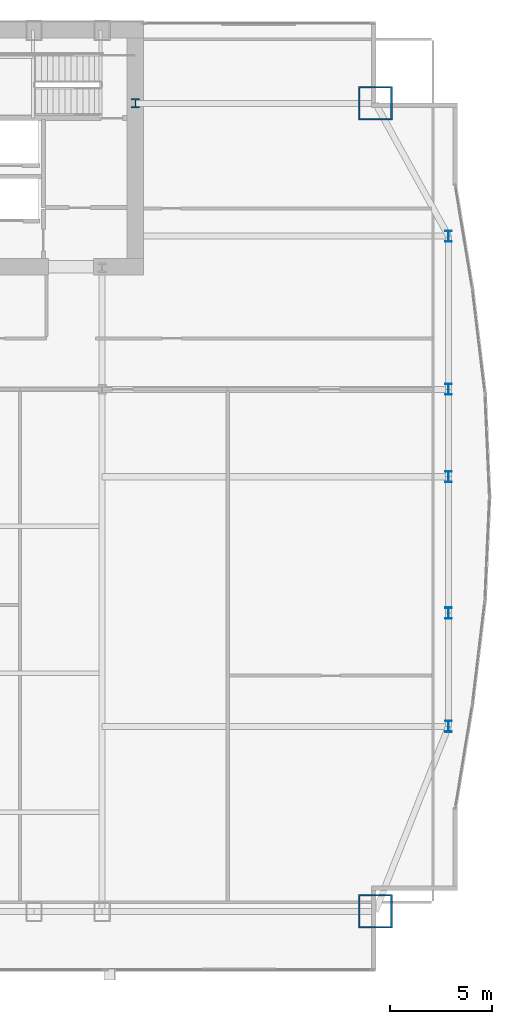
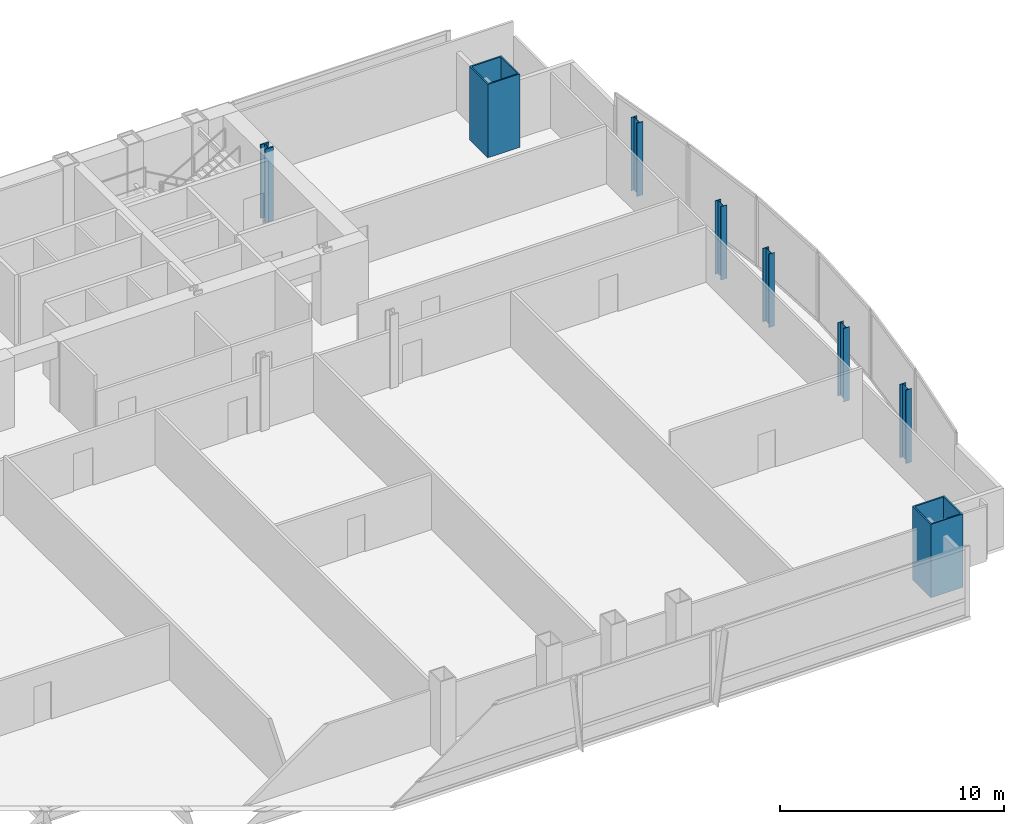
# One storey, part 4 of 32: 8 columns.
"""IFC4 building model written with IfcOpenShell, lengths in metres."""

from ifc_helpers import new_model, si_unit, direction, frame, origin, origin_2d, place, context, subcontext, project, spatial, hollow_rectangle, i_section, extrude, material, material_profile, profile_set, type_object, element, save


model = new_model("IFC4")

# Units and contexts
model_context = context("Model", 3, precision=1e-05, world=origin(), true_north=direction((0.0, 1.0)))
body_context = subcontext(model_context, "Body", "Model", "MODEL_VIEW")
ifc_project = project(units=[si_unit("LENGTHUNIT", "METRE"), si_unit("AREAUNIT", "SQUARE_METRE"), si_unit("VOLUMEUNIT", "CUBIC_METRE"), si_unit("PLANEANGLEUNIT", "RADIAN"), si_unit("MASSUNIT", "GRAM", prefix="KILO")], contexts=[model_context])

# Site, building, storey
site_placement = place(None, origin())
site = spatial("IfcSite", under=ifc_project, at=site_placement, CompositionType="ELEMENT")
building_placement = place(site_placement, origin())
building = spatial("IfcBuilding", under=site, at=building_placement, Name="Khoronbel Lancet Exchange", CompositionType="ELEMENT")
storey_placement = place(building_placement, frame((0.0, 0.0, 65.800048828125)))
storey = spatial("IfcBuildingStorey", under=building, at=storey_placement, Name="L15", CompositionType="ELEMENT", Elevation=65.800048828125)

# Columns
ifc_material_1 = material(Name="Steel S460", Category="steel")
ifc_material_profile_1 = material_profile(ifc_material_1, i_section(OverallWidth=0.424072265625, OverallDepth=0.47412109375, WebThickness=0.047607421875, FlangeThickness=0.076904296875, at=origin_2d()), Name="HD 400x634")
ifc_profile_set_1 = profile_set([ifc_material_profile_1], Name="Steel S460")
column_type_1 = type_object("IfcColumnType", Name="COL-IC1", PredefinedType="COLUMN", material=ifc_profile_set_1)
column_placement = place(storey_placement, frame((56.300048828125, 49.699951171875, 0.0), z_axis=(0.0, 0.0, 1.0), x_axis=(1.0, 0.0, 0.0)))
element("IfcColumn", 1, at=column_placement, inside=storey, type_object=column_type_1, Name="Core-flank plumb transfer column CFE L15", PredefinedType="COLUMN", context=body_context, shape_type="SweptSolid", body=[
    extrude(i_section(OverallWidth=0.424072265625, OverallDepth=0.47412109375, WebThickness=0.047607421875, FlangeThickness=0.076904296875, at=origin_2d()), origin(), (0.0, 0.0, 1.0), 4.0),
])
ifc_material_2 = material(Name="Steel S355", Category="steel")
ifc_material_profile_2 = material_profile(ifc_material_2, i_section(OverallWidth=0.300048828125, OverallDepth=0.550048828125, WebThickness=0.014892578125, FlangeThickness=0.029052734375, at=origin_2d()), Name="HEB 550")
ifc_profile_set_2 = profile_set([ifc_material_profile_2], Name="Steel S355")
column_type_2 = type_object("IfcColumnType", Name="COL-LC1", PredefinedType="COLUMN", material=ifc_profile_set_2)
for number, where, z_axis, x_axis, name in (
    (2, (71.6298828125, 19.199951171875, 0.0), (0.0, 0.0, 1.0), (1.0, 0.0, 0.0), "Structural column EC-1 L15"),
    (3, (71.6298828125, 24.75, 0.0), (0.0, 0.0, 1.0), (1.0, 0.0, 0.0), "Structural column EC-2 L15"),
    (4, (71.6298828125, 31.425048828125, 0.0), (0.0, 0.0, 1.0), (1.0, 0.0, 0.0), "Structural column EC-M L15"),
    (5, (71.6298828125, 35.699951171875, 0.0), (0.0, 0.0, 1.0), (1.0, 0.0, 0.0), "Structural column EC-3 L15"),
    (6, (71.6298828125, 43.199951171875, 0.0), (0.0, 0.0, 1.0), (1.0, 0.0, 0.0), "Structural column EC-4 L15"),
):
    element("IfcColumn", number, at=place(storey_placement, frame(where, z_axis=z_axis, x_axis=x_axis)), inside=storey, type_object=column_type_2, Name=name, PredefinedType="COLUMN", context=body_context, shape_type="SweptSolid", body=[
        extrude(i_section(OverallWidth=0.300048828125, OverallDepth=0.550048828125, WebThickness=0.014892578125, FlangeThickness=0.029052734375, at=origin_2d()), origin(), (0.0, 0.0, 1.0), 4.0),
    ])
ifc_material_profile_3 = material_profile(ifc_material_1, hollow_rectangle(XDim=1.64990234375, YDim=1.64990234375, WallThickness=0.074951171875, at=origin_2d()), Name="BOX 1650x1650x75")
ifc_profile_set_3 = profile_set([ifc_material_profile_3], Name="Steel S460")
column_type_3 = type_object("IfcColumnType", Name="COL-MC2", PredefinedType="COLUMN", material=ifc_profile_set_3)
for number, where, z_axis, x_axis, name in (
    (7, (68.050048828125, 10.14990234375, 0.0), (0.0, 0.0, 1.0), (1.0, 0.0, 0.0), "Structural column MC-SE L15"),
    (8, (68.050048828125, 49.699951171875, 0.0), (0.0, 0.0, 1.0), (1.0, 0.0, 0.0), "Structural column MC-NE L15"),
):
    element("IfcColumn", number, at=place(storey_placement, frame(where, z_axis=z_axis, x_axis=x_axis)), inside=storey, type_object=column_type_3, Name=name, PredefinedType="COLUMN", context=body_context, shape_type="SweptSolid", body=[
        extrude(hollow_rectangle(XDim=1.64990234375, YDim=1.64990234375, WallThickness=0.074951171875, at=origin_2d()), origin(), (0.0, 0.0, 1.0), 4.0),
    ])

save(model, "model.ifc")
